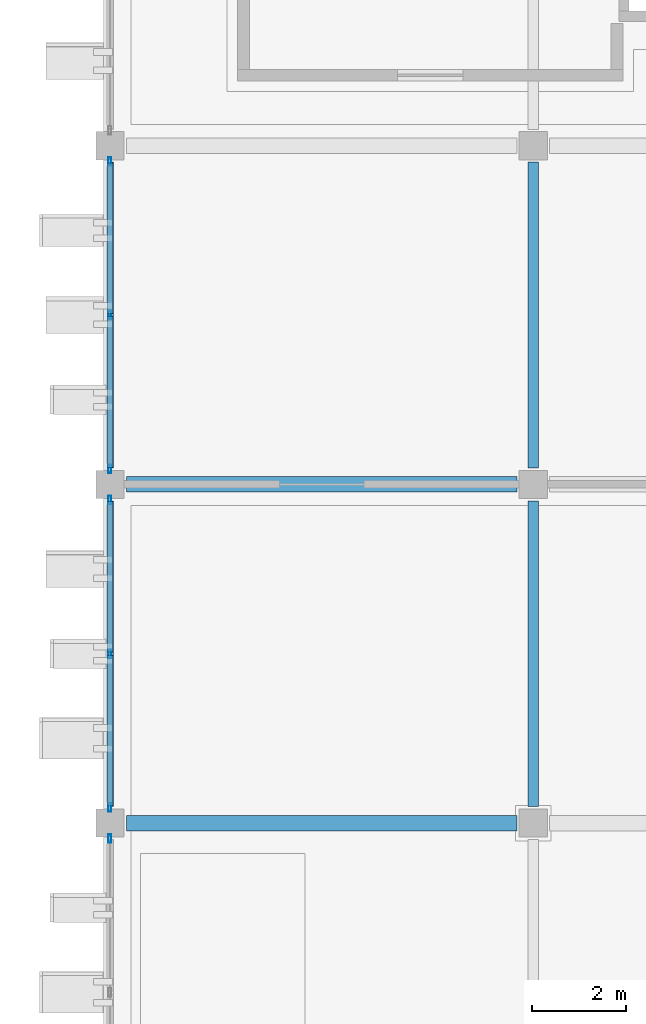
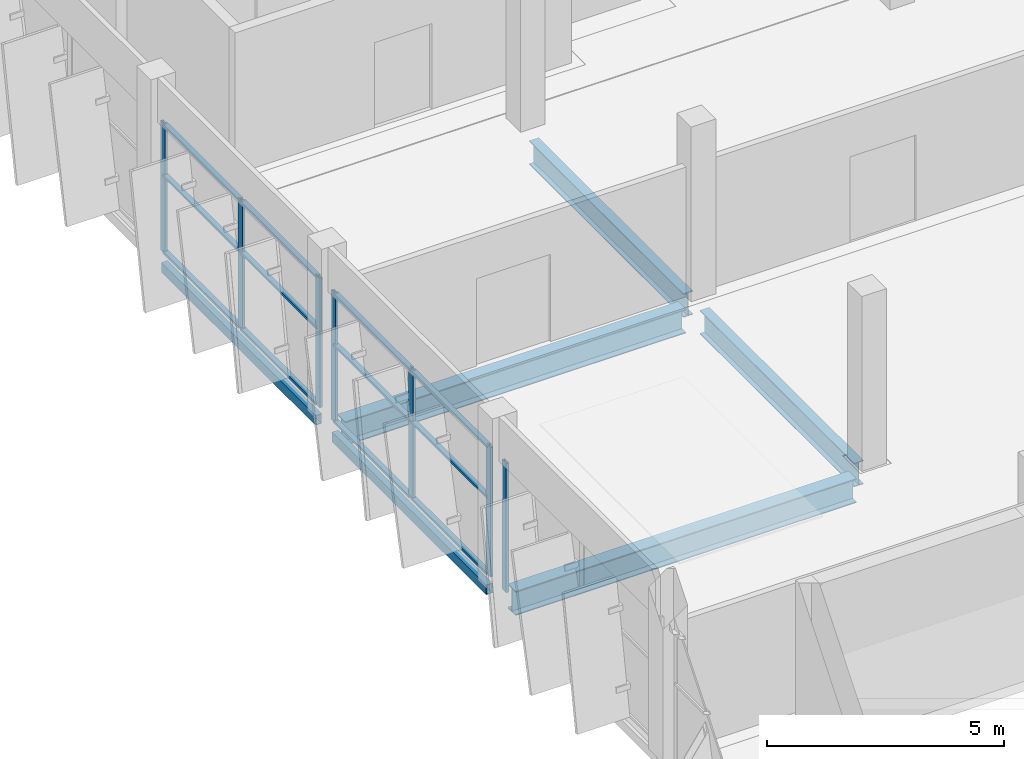
# One storey, part 61 of 124: 19 members, 6 beams, 3 elements without a shape of their own.
"""IFC4 building model written with IfcOpenShell, lengths in metres."""

from ifc_helpers import new_model, si_unit, direction, frame, origin, origin_2d, place, context, subcontext, project, spatial, hollow_rectangle, i_section, extrude, material, layer, layer_set, material_profile, profile_set, type_object, element, aggregate, save


model = new_model("IFC4")

# Units and contexts
model_context = context("Model", 3, precision=1e-05, world=origin(), true_north=direction((0.0, 1.0)))
body_context = subcontext(model_context, "Body", "Model", "MODEL_VIEW")
ifc_project = project(units=[si_unit("LENGTHUNIT", "METRE"), si_unit("AREAUNIT", "SQUARE_METRE"), si_unit("VOLUMEUNIT", "CUBIC_METRE"), si_unit("PLANEANGLEUNIT", "RADIAN"), si_unit("MASSUNIT", "GRAM", prefix="KILO")], contexts=[model_context])

# Site, building, storey
site_placement = place(None, origin())
site = spatial("IfcSite", under=ifc_project, at=site_placement, CompositionType="ELEMENT")
building_placement = place(site_placement, origin())
building = spatial("IfcBuilding", under=site, at=building_placement, Name="Celestram Park Convention Centre", CompositionType="ELEMENT")
storey_placement = place(building_placement, frame((0.0, 0.0, 15.300048828125)))
storey = spatial("IfcBuildingStorey", under=building, at=storey_placement, Name="L03", CompositionType="ELEMENT", Elevation=15.300048828125)

# Curtain wall, member
ifc_material_1 = material(Name="Anodised Aluminium Alloy 6063-T6", Category="aluminium")
ifc_layer = layer(ifc_material_1, 0.179931640625)
ifc_layer_set = layer_set([ifc_layer], Name="Anodised Aluminium Alloy 6063-T6")
curtain_wall_type = type_object("IfcCurtainWallType", Name="ARC-CW-660X334", PredefinedType="NOTDEFINED", material=ifc_layer_set)
curtain_wall_1_placement = place(storey_placement, origin())
curtain_wall_1 = element("IfcCurtainWall", 1, at=curtain_wall_1_placement, inside=storey, type_object=curtain_wall_type, Name="Unitised curtain wall CU-L03-197", PredefinedType="NOTDEFINED")
ifc_material_profile_1 = material_profile(ifc_material_1, hollow_rectangle(XDim=0.06494140625, YDim=0.179931640625, WallThickness=0.00390625, at=origin_2d()), Name="ALU65X180X4")
ifc_profile_set_1 = profile_set([ifc_material_profile_1], Name="Anodised Aluminium Alloy 6063-T6")
member_type_1 = type_object("IfcMemberType", Name="ARC-CWM-150", PredefinedType="MULLION", material=ifc_profile_set_1)
member_1_placement = place(storey_placement, frame((36.0, 129.26953125, 0.0), z_axis=(0.0, 0.0, 1.0), x_axis=(-1.0, 0.0, 0.0)))
member_1 = element("IfcMember", 2, at=member_1_placement, type_object=member_type_1, Name="CW-66X33 mullion 3", PredefinedType="MULLION", context=body_context, shape_type="SweptSolid", body=[
    extrude(hollow_rectangle(XDim=0.06494140625, YDim=0.179931640625, WallThickness=0.00390625, at=origin_2d()), origin(), (0.0, 0.0, 1.0), 3.3359375),
])
aggregate(curtain_wall_1, [member_1])

# Curtain wall, members
curtain_wall_2_placement = place(storey_placement, origin())
curtain_wall_2 = element("IfcCurtainWall", 3, at=curtain_wall_2_placement, inside=storey, type_object=curtain_wall_type, Name="Unitised curtain wall CU-L03-198", PredefinedType="NOTDEFINED")
member_2_placement = place(storey_placement, frame((36.0, 129.930419921875, 0.0), z_axis=(0.0, 0.0, 1.0), x_axis=(-1.0, 0.0, 0.0)))
member_2 = element("IfcMember", 4, at=member_2_placement, type_object=member_type_1, Name="CW-66X33 mullion 1", PredefinedType="MULLION", context=body_context, shape_type="SweptSolid", body=[
    extrude(hollow_rectangle(XDim=0.06494140625, YDim=0.179931640625, WallThickness=0.00390625, at=origin_2d()), origin(), (0.0, 0.0, 1.0), 3.3359375),
])
member_3_placement = place(storey_placement, frame((36.0, 133.199951171875, 0.0), z_axis=(0.0, 0.0, 1.0), x_axis=(-1.0, 0.0, 0.0)))
member_3 = element("IfcMember", 5, at=member_3_placement, type_object=member_type_1, Name="CW-66X33 mullion 2", PredefinedType="MULLION", context=body_context, shape_type="SweptSolid", body=[
    extrude(hollow_rectangle(XDim=0.06494140625, YDim=0.179931640625, WallThickness=0.00390625, at=origin_2d()), origin(), (0.0, 0.0, 1.0), 3.3359375),
])
member_4_placement = place(storey_placement, frame((36.0, 136.469482421875, 0.0), z_axis=(0.0, 0.0, 1.0), x_axis=(-1.0, 0.0, 0.0)))
member_4 = element("IfcMember", 6, at=member_4_placement, type_object=member_type_1, Name="CW-66X33 mullion 3", PredefinedType="MULLION", context=body_context, shape_type="SweptSolid", body=[
    extrude(hollow_rectangle(XDim=0.06494140625, YDim=0.179931640625, WallThickness=0.00390625, at=origin_2d()), origin(), (0.0, 0.0, 1.0), 3.3359375),
])

curtain_wall_3_placement = place(storey_placement, origin())
curtain_wall_3 = element("IfcCurtainWall", 7, at=curtain_wall_3_placement, inside=storey, type_object=curtain_wall_type, Name="Unitised curtain wall CU-L03-199", PredefinedType="NOTDEFINED")
member_5_placement = place(storey_placement, frame((36.0, 137.130615234375, 0.0), z_axis=(0.0, 0.0, 1.0), x_axis=(-1.0, 0.0, 0.0)))
member_5 = element("IfcMember", 8, at=member_5_placement, type_object=member_type_1, Name="CW-66X33 mullion 1", PredefinedType="MULLION", context=body_context, shape_type="SweptSolid", body=[
    extrude(hollow_rectangle(XDim=0.06494140625, YDim=0.179931640625, WallThickness=0.00390625, at=origin_2d()), origin(), (0.0, 0.0, 1.0), 3.3359375),
])
member_6_placement = place(storey_placement, frame((36.0, 140.39990234375, 0.0), z_axis=(0.0, 0.0, 1.0), x_axis=(-1.0, 0.0, 0.0)))
member_6 = element("IfcMember", 9, at=member_6_placement, type_object=member_type_1, Name="CW-66X33 mullion 2", PredefinedType="MULLION", context=body_context, shape_type="SweptSolid", body=[
    extrude(hollow_rectangle(XDim=0.06494140625, YDim=0.179931640625, WallThickness=0.00390625, at=origin_2d()), origin(), (0.0, 0.0, 1.0), 3.3359375),
])
member_7_placement = place(storey_placement, frame((36.0, 143.66943359375, 0.0), z_axis=(0.0, 0.0, 1.0), x_axis=(-1.0, 0.0, 0.0)))
member_7 = element("IfcMember", 10, at=member_7_placement, type_object=member_type_1, Name="CW-66X33 mullion 3", PredefinedType="MULLION", context=body_context, shape_type="SweptSolid", body=[
    extrude(hollow_rectangle(XDim=0.06494140625, YDim=0.179931640625, WallThickness=0.00390625, at=origin_2d()), origin(), (0.0, 0.0, 1.0), 3.3359375),
])

# Member
ifc_material_profile_2 = material_profile(ifc_material_1, hollow_rectangle(XDim=0.1201171875, YDim=0.06005859375, WallThickness=0.0029296875, at=origin_2d()), Name="ALU120X60X3")
ifc_profile_set_2 = profile_set([ifc_material_profile_2], Name="Anodised Aluminium Alloy 6063-T6")
member_type_2 = type_object("IfcMemberType", Name="ARC-CWT-120", PredefinedType="USERDEFINED", material=ifc_profile_set_2)
member_8_placement = place(storey_placement, frame((36.0, 129.962890625, 0.030029296875), z_axis=(0.0, 1.0, 0.0), x_axis=(-1.0, 0.0, 0.0)))
member_8 = element("IfcMember", 11, at=member_8_placement, type_object=member_type_2, Name="CW-66X33 transom 1.1", ObjectType="TRANSOM", PredefinedType="USERDEFINED", context=body_context, shape_type="SweptSolid", body=[
    extrude(hollow_rectangle(XDim=0.1201171875, YDim=0.06005859375, WallThickness=0.0029296875, at=origin_2d()), origin(), (0.0, 0.0, 1.0), 3.20458984375),
])

member_9_placement = place(storey_placement, frame((36.0, 129.962890625, 2.001953125), z_axis=(0.0, 1.0, 0.0), x_axis=(-1.0, 0.0, 0.0)))
member_9 = element("IfcMember", 12, at=member_9_placement, type_object=member_type_2, Name="CW-66X33 transom 1.2", ObjectType="TRANSOM", PredefinedType="USERDEFINED", context=body_context, shape_type="SweptSolid", body=[
    extrude(hollow_rectangle(XDim=0.1201171875, YDim=0.06005859375, WallThickness=0.0029296875, at=origin_2d()), origin(), (0.0, 0.0, 1.0), 3.20458984375),
])

member_10_placement = place(storey_placement, frame((36.0, 129.962890625, 3.305908203125), z_axis=(0.0, 1.0, 0.0), x_axis=(-1.0, 0.0, 0.0)))
member_10 = element("IfcMember", 13, at=member_10_placement, type_object=member_type_2, Name="CW-66X33 transom 1.3", ObjectType="TRANSOM", PredefinedType="USERDEFINED", context=body_context, shape_type="SweptSolid", body=[
    extrude(hollow_rectangle(XDim=0.1201171875, YDim=0.06005859375, WallThickness=0.0029296875, at=origin_2d()), origin(), (0.0, 0.0, 1.0), 3.20458984375),
])

member_11_placement = place(storey_placement, frame((36.0, 133.232421875, 0.030029296875), z_axis=(0.0, 1.0, 0.0), x_axis=(-1.0, 0.0, 0.0)))
member_11 = element("IfcMember", 14, at=member_11_placement, type_object=member_type_2, Name="CW-66X33 transom 2.1", ObjectType="TRANSOM", PredefinedType="USERDEFINED", context=body_context, shape_type="SweptSolid", body=[
    extrude(hollow_rectangle(XDim=0.1201171875, YDim=0.06005859375, WallThickness=0.0029296875, at=origin_2d()), origin(), (0.0, 0.0, 1.0), 3.20458984375),
])

member_12_placement = place(storey_placement, frame((36.0, 133.232421875, 2.001953125), z_axis=(0.0, 1.0, 0.0), x_axis=(-1.0, 0.0, 0.0)))
member_12 = element("IfcMember", 15, at=member_12_placement, type_object=member_type_2, Name="CW-66X33 transom 2.2", ObjectType="TRANSOM", PredefinedType="USERDEFINED", context=body_context, shape_type="SweptSolid", body=[
    extrude(hollow_rectangle(XDim=0.1201171875, YDim=0.06005859375, WallThickness=0.0029296875, at=origin_2d()), origin(), (0.0, 0.0, 1.0), 3.20458984375),
])

member_13_placement = place(storey_placement, frame((36.0, 133.232421875, 3.305908203125), z_axis=(0.0, 1.0, 0.0), x_axis=(-1.0, 0.0, 0.0)))
member_13 = element("IfcMember", 16, at=member_13_placement, type_object=member_type_2, Name="CW-66X33 transom 2.3", ObjectType="TRANSOM", PredefinedType="USERDEFINED", context=body_context, shape_type="SweptSolid", body=[
    extrude(hollow_rectangle(XDim=0.1201171875, YDim=0.06005859375, WallThickness=0.0029296875, at=origin_2d()), origin(), (0.0, 0.0, 1.0), 3.20458984375),
])

aggregate(curtain_wall_2, [member_2, member_3, member_4, member_8, member_9, member_10, member_11, member_12, member_13])

member_14_placement = place(storey_placement, frame((36.0, 137.1630859375, 0.030029296875), z_axis=(0.0, 1.0, 0.0), x_axis=(-1.0, 0.0, 0.0)))
member_14 = element("IfcMember", 17, at=member_14_placement, type_object=member_type_2, Name="CW-66X33 transom 1.1", ObjectType="TRANSOM", PredefinedType="USERDEFINED", context=body_context, shape_type="SweptSolid", body=[
    extrude(hollow_rectangle(XDim=0.1201171875, YDim=0.06005859375, WallThickness=0.0029296875, at=origin_2d()), origin(), (0.0, 0.0, 1.0), 3.204345703125),
])

member_15_placement = place(storey_placement, frame((36.0, 137.1630859375, 2.001953125), z_axis=(0.0, 1.0, 0.0), x_axis=(-1.0, 0.0, 0.0)))
member_15 = element("IfcMember", 18, at=member_15_placement, type_object=member_type_2, Name="CW-66X33 transom 1.2", ObjectType="TRANSOM", PredefinedType="USERDEFINED", context=body_context, shape_type="SweptSolid", body=[
    extrude(hollow_rectangle(XDim=0.1201171875, YDim=0.06005859375, WallThickness=0.0029296875, at=origin_2d()), origin(), (0.0, 0.0, 1.0), 3.204345703125),
])

member_16_placement = place(storey_placement, frame((36.0, 137.1630859375, 3.305908203125), z_axis=(0.0, 1.0, 0.0), x_axis=(-1.0, 0.0, 0.0)))
member_16 = element("IfcMember", 19, at=member_16_placement, type_object=member_type_2, Name="CW-66X33 transom 1.3", ObjectType="TRANSOM", PredefinedType="USERDEFINED", context=body_context, shape_type="SweptSolid", body=[
    extrude(hollow_rectangle(XDim=0.1201171875, YDim=0.06005859375, WallThickness=0.0029296875, at=origin_2d()), origin(), (0.0, 0.0, 1.0), 3.204345703125),
])

member_17_placement = place(storey_placement, frame((36.0, 140.4326171875, 0.030029296875), z_axis=(0.0, 1.0, 0.0), x_axis=(-1.0, 0.0, 0.0)))
member_17 = element("IfcMember", 20, at=member_17_placement, type_object=member_type_2, Name="CW-66X33 transom 2.1", ObjectType="TRANSOM", PredefinedType="USERDEFINED", context=body_context, shape_type="SweptSolid", body=[
    extrude(hollow_rectangle(XDim=0.1201171875, YDim=0.06005859375, WallThickness=0.0029296875, at=origin_2d()), origin(), (0.0, 0.0, 1.0), 3.204345703125),
])

member_18_placement = place(storey_placement, frame((36.0, 140.4326171875, 2.001953125), z_axis=(0.0, 1.0, 0.0), x_axis=(-1.0, 0.0, 0.0)))
member_18 = element("IfcMember", 21, at=member_18_placement, type_object=member_type_2, Name="CW-66X33 transom 2.2", ObjectType="TRANSOM", PredefinedType="USERDEFINED", context=body_context, shape_type="SweptSolid", body=[
    extrude(hollow_rectangle(XDim=0.1201171875, YDim=0.06005859375, WallThickness=0.0029296875, at=origin_2d()), origin(), (0.0, 0.0, 1.0), 3.204345703125),
])

member_19_placement = place(storey_placement, frame((36.0, 140.4326171875, 3.305908203125), z_axis=(0.0, 1.0, 0.0), x_axis=(-1.0, 0.0, 0.0)))
member_19 = element("IfcMember", 22, at=member_19_placement, type_object=member_type_2, Name="CW-66X33 transom 2.3", ObjectType="TRANSOM", PredefinedType="USERDEFINED", context=body_context, shape_type="SweptSolid", body=[
    extrude(hollow_rectangle(XDim=0.1201171875, YDim=0.06005859375, WallThickness=0.0029296875, at=origin_2d()), origin(), (0.0, 0.0, 1.0), 3.204345703125),
])

aggregate(curtain_wall_3, [member_5, member_6, member_7, member_14, member_15, member_16, member_17, member_18, member_19])

# Beams
ifc_material_2 = material(Name="Steel ASTM A992 Grade 50", Category="steel")
ifc_material_profile_3 = material_profile(ifc_material_2, i_section(OverallWidth=0.327880859375, OverallDepth=0.6220703125, WebThickness=0.015380859375, FlangeThickness=0.0244140625, at=origin_2d()), Name="W24X131")
ifc_profile_set_3 = profile_set([ifc_material_profile_3], Name="Steel ASTM A992 Grade 50")
beam_type_1 = type_object("IfcBeamType", Name="STR-BM-W24X131", PredefinedType="BEAM", material=ifc_profile_set_3)
for number, where, z_axis, x_axis, name in (
    (23, (36.347900390625, 129.60009765625, -0.56103515625), (1.0, 0.0, 0.0), (0.0, 1.0, 0.0), "Primary X-girder BG-L03-0006"),
    (24, (36.347900390625, 136.800048828125, -0.56103515625), (1.0, 0.0, 0.0), (0.0, 1.0, 0.0), "Primary X-girder BG-L03-0008"),
):
    element("IfcBeam", number, at=place(storey_placement, frame(where, z_axis=z_axis, x_axis=x_axis)), inside=storey, type_object=beam_type_1, Name=name, PredefinedType="BEAM", context=body_context, shape_type="SweptSolid", body=[
        extrude(i_section(OverallWidth=0.327880859375, OverallDepth=0.6220703125, WebThickness=0.015380859375, FlangeThickness=0.0244140625, at=origin_2d()), origin(), (0.0, 0.0, 1.0), 8.30419921875),
    ])
ifc_material_profile_4 = material_profile(ifc_material_2, i_section(OverallWidth=0.22900390625, OverallDepth=0.612060546875, WebThickness=0.011962890625, FlangeThickness=0.01953125, at=origin_2d()), Name="W24X84")
ifc_profile_set_4 = profile_set([ifc_material_profile_4], Name="Steel ASTM A992 Grade 50")
beam_type_2 = type_object("IfcBeamType", Name="STR-BM-W24X84", PredefinedType="BEAM", material=ifc_profile_set_4)
beam_1_placement = place(storey_placement, frame((45.0, 129.947998046875, -0.55615234375), z_axis=(0.0, 1.0, 0.0), x_axis=(-1.0, 0.0, 0.0)))
element("IfcBeam", 25, at=beam_1_placement, inside=storey, type_object=beam_type_2, Name="Primary Y-girder BG-L03-0021", PredefinedType="BEAM", context=body_context, shape_type="SweptSolid", body=[
    extrude(i_section(OverallWidth=0.22900390625, OverallDepth=0.612060546875, WebThickness=0.011962890625, FlangeThickness=0.01953125, at=origin_2d()), origin(), (0.0, 0.0, 1.0), 6.50390625),
])
beam_2_placement = place(storey_placement, frame((45.0, 137.14794921875, -0.55615234375), z_axis=(0.0, 1.0, 0.0), x_axis=(-1.0, 0.0, 0.0)))
element("IfcBeam", 26, at=beam_2_placement, inside=storey, type_object=beam_type_2, Name="Primary Y-girder BG-L03-0023", PredefinedType="BEAM", context=body_context, shape_type="SweptSolid", body=[
    extrude(i_section(OverallWidth=0.22900390625, OverallDepth=0.612060546875, WebThickness=0.011962890625, FlangeThickness=0.01953125, at=origin_2d()), origin(), (0.0, 0.0, 1.0), 6.504150390625),
])
ifc_material_3 = material(Name="Steel ASTM A500 Grade C", Category="steel")
ifc_material_profile_5 = material_profile(ifc_material_3, hollow_rectangle(XDim=0.14990234375, YDim=0.25, WallThickness=0.010009765625, at=origin_2d()), Name="HSS250X150X10")
ifc_profile_set_5 = profile_set([ifc_material_profile_5], Name="Steel ASTM A500 Grade C")
beam_type_3 = type_object("IfcBeamType", Name="STR-SPN-HSS250X150", PredefinedType="SPANDREL", material=ifc_profile_set_5)
beam_3_placement = place(storey_placement, frame((36.0, 129.947998046875, -0.375), z_axis=(0.0, 1.0, 0.0), x_axis=(-1.0, 0.0, 0.0)))
element("IfcBeam", 27, at=beam_3_placement, inside=storey, type_object=beam_type_3, Name="Primary Y-girder BG-L03-0007", PredefinedType="SPANDREL", context=body_context, shape_type="SweptSolid", body=[
    extrude(hollow_rectangle(XDim=0.14990234375, YDim=0.25, WallThickness=0.010009765625, at=origin_2d()), origin(), (0.0, 0.0, 1.0), 6.50390625),
])
beam_4_placement = place(storey_placement, frame((36.0, 137.14794921875, -0.375), z_axis=(0.0, 1.0, 0.0), x_axis=(-1.0, 0.0, 0.0)))
element("IfcBeam", 28, at=beam_4_placement, inside=storey, type_object=beam_type_3, Name="Primary Y-girder BG-L03-0009", PredefinedType="SPANDREL", context=body_context, shape_type="SweptSolid", body=[
    extrude(hollow_rectangle(XDim=0.14990234375, YDim=0.25, WallThickness=0.010009765625, at=origin_2d()), origin(), (0.0, 0.0, 1.0), 6.504150390625),
])

save(model, "model.ifc")
